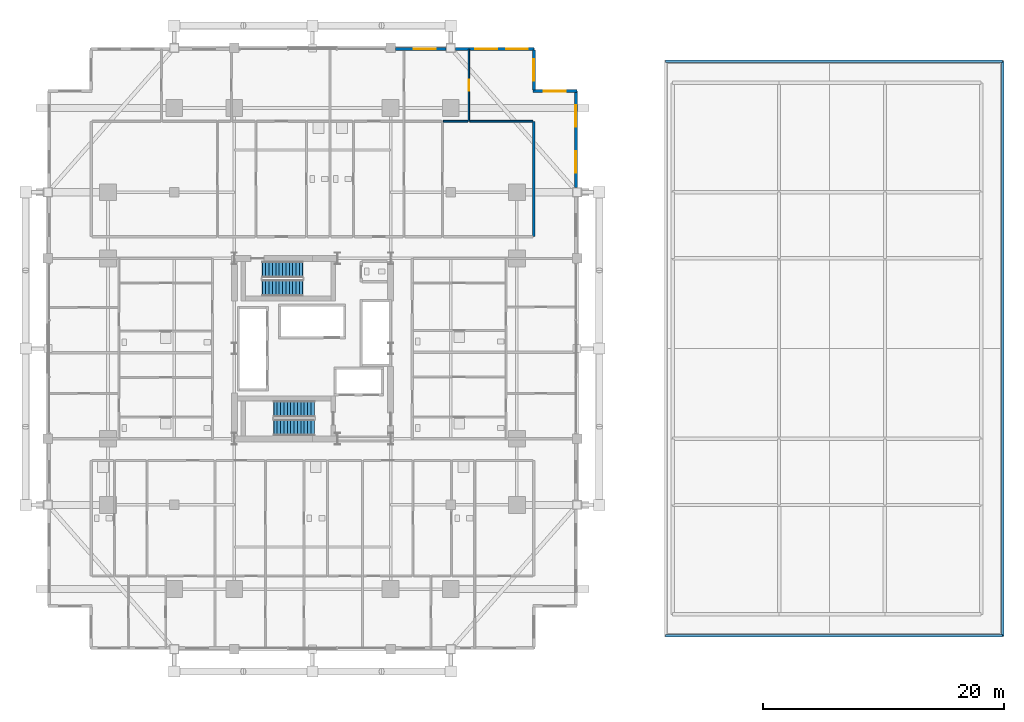
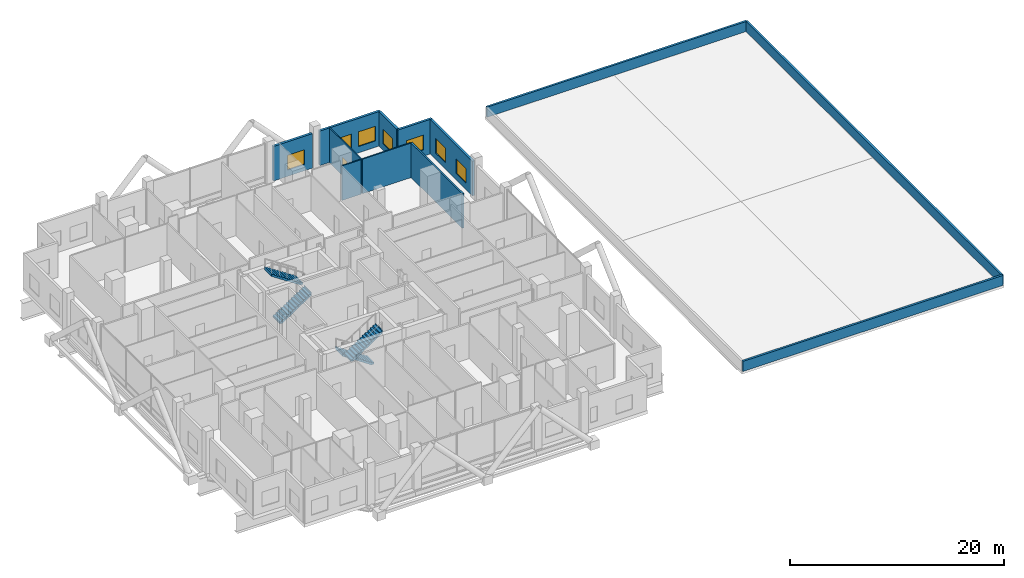
# One storey, part 28 of 33: 12 walls, 7 windows, 4 stair flights, 1 door, 8 openings, 2 elements without a shape of their own.
"""IFC4 building model written with IfcOpenShell, lengths in metres."""

from ifc_helpers import new_model, si_unit, direction, frame, frame_2d, origin, place, context, subcontext, project, spatial, polyline, rectangle, outline, extrude, material, layer, layer_set, type_object, element, fill, aggregate, save


model = new_model("IFC4")

# Units and contexts
model_context = context("Model", 3, precision=1e-05, world=origin(), true_north=direction((0.0, 1.0)))
body_context = subcontext(model_context, "Body", "Model", "MODEL_VIEW")
ifc_project = project(units=[si_unit("LENGTHUNIT", "METRE"), si_unit("AREAUNIT", "SQUARE_METRE"), si_unit("VOLUMEUNIT", "CUBIC_METRE"), si_unit("PLANEANGLEUNIT", "RADIAN"), si_unit("MASSUNIT", "GRAM", prefix="KILO")], contexts=[model_context])

# Site, building, storey
site_placement = place(None, origin())
site = spatial("IfcSite", under=ifc_project, at=site_placement, CompositionType="ELEMENT")
building_placement = place(site_placement, origin())
building = spatial("IfcBuilding", under=site, at=building_placement, Name="Barlavira Tower and Art Museum", CompositionType="ELEMENT")
storey_placement = place(building_placement, frame((0.0, 0.0, 27.60009765625)))
storey = spatial("IfcBuildingStorey", under=building, at=storey_placement, Name="L05", CompositionType="ELEMENT", Elevation=27.60009765625)

# Wall, opening, door
ifc_material_1 = material(Name="Gypsum acoustic stud partition", Category="gypsum")
ifc_layer_1 = layer(ifc_material_1, 0.1201171875, Name="Gypsum acoustic stud partition")
ifc_layer_set_1 = layer_set([ifc_layer_1], Name="Gypsum acoustic stud partition")
wall_type_1 = type_object("IfcWallType", Name="Apartment Internal Acoustic Partition 120", PredefinedType="PARTITIONING", material=ifc_layer_set_1)
wall_1_placement = place(storey_placement, frame((13.0, 18.89990234375, 0.0), z_axis=(0.0, 0.0, 1.0), x_axis=(0.0, 1.0, 0.0)))
wall_1 = element("IfcWall", 1, at=wall_1_placement, inside=storey, type_object=wall_type_1, Name="L05 Partition Wall 28", PredefinedType="PARTITIONING", context=body_context, shape_type="SweptSolid", body=[
    extrude(rectangle(XDim=6.0, YDim=0.1201171875, at=frame_2d((3.0, 0.0))), origin(), (0.0, 0.0, 1.0), 3.935791015625),
])
opening_1_placement = place(wall_1_placement, frame((2.550048828125, 0.0, 0.0)))
opening_1 = element("IfcOpeningElement", 2, at=opening_1_placement, cuts=wall_1, Name="Opening D-01", PredefinedType="OPENING", context=body_context, shape_type="SweptSolid", body=[
    extrude(rectangle(XDim=0.89990234375, YDim=2.10009765625, at=frame_2d((0.449951171875, 1.050048828125))), frame((0.0, 0.070068359375, 0.0), z_axis=(0.0, -1.0, 0.0), x_axis=(1.0, 0.0, 0.0)), (0.0, 0.0, 1.0), 0.14013671875),
])
ifc_material_2 = material(Name="Engineered coastal hardwood", Category="wood")
door_type = type_object("IfcDoorType", Name="Internal Bedroom Timber Flush Door 900x2100", OperationType="NOTDEFINED", PredefinedType="DOOR", material=ifc_material_2)
door_placement = place(opening_1_placement, origin())
door = element("IfcDoor", 3, at=door_placement, inside=storey, type_object=door_type, Name="Apartment N2 Bedroom 2 Door", OperationType="SINGLE_SWING_RIGHT", OverallHeight=2.10009765625, OverallWidth=0.89990234375, PredefinedType="DOOR", context=body_context, shape_type="SweptSolid", body=[
    extrude(rectangle(XDim=0.89990234375, YDim=2.10009765625, at=frame_2d((0.449951171875, 1.050048828125))), frame((0.0, 0.02490234375, 0.0), z_axis=(0.0, -1.0, 0.0), x_axis=(1.0, 0.0, 0.0)), (0.0, 0.0, 1.0), 0.050048828125),
])
fill(opening_1, door)

# Walls
ifc_layer_2 = layer(ifc_material_1, 0.179931640625, Name="Gypsum acoustic stud partition")
ifc_layer_set_2 = layer_set([ifc_layer_2], Name="Gypsum acoustic stud partition")
wall_type_2 = type_object("IfcWallType", Name="Inter-Tenancy Party Partition Wall 180", PredefinedType="PARTITIONING", material=ifc_layer_set_2)
wall_2_placement = place(storey_placement, frame((18.39990234375, 9.300048828125, 0.0), z_axis=(0.0, 0.0, 1.0), x_axis=(0.0, 1.0, 0.0)))
element("IfcWall", 4, at=wall_2_placement, inside=storey, type_object=wall_type_2, Name="L05 Partition Wall 32", PredefinedType="PARTITIONING", context=body_context, shape_type="SweptSolid", body=[
    extrude(rectangle(XDim=9.599853515625, YDim=0.179931640625, at=frame_2d((4.7998046875, 0.0))), origin(), (0.0, 0.0, 1.0), 3.935791015625),
])
ifc_layer_3 = layer(ifc_material_1, 0.139892578125, Name="Gypsum acoustic stud partition")
ifc_layer_set_3 = layer_set([ifc_layer_3], Name="Gypsum acoustic stud partition")
wall_type_3 = type_object("IfcWallType", Name="Moisture-Resistant Bathroom Partition 140", PredefinedType="PARTITIONING", material=ifc_layer_set_3)
wall_3_placement = place(storey_placement, frame((10.8798828125, 18.89990234375, 0.0), z_axis=(0.0, 0.0, 1.0), x_axis=(1.0, 0.0, 0.0)))
element("IfcWall", 5, at=wall_3_placement, inside=storey, type_object=wall_type_3, Name="L05 Partition Wall 101", PredefinedType="PARTITIONING", context=body_context, shape_type="SweptSolid", body=[
    extrude(rectangle(XDim=2.0400390625, YDim=0.139892578125, at=frame_2d((1.02001953125, 0.0))), origin(), (0.0, 0.0, 1.0), 3.935791015625),
])
wall_4_placement = place(storey_placement, frame((13.080078125, 18.89990234375, 0.0), z_axis=(0.0, 0.0, 1.0), x_axis=(1.0, 0.0, 0.0)))
element("IfcWall", 6, at=wall_4_placement, inside=storey, type_object=wall_type_3, Name="L05 Partition Wall 102", PredefinedType="PARTITIONING", context=body_context, shape_type="SweptSolid", body=[
    extrude(rectangle(XDim=5.239990234375, YDim=0.139892578125, at=frame_2d((2.6201171875, 0.0))), origin(), (0.0, 0.0, 1.0), 3.935791015625),
])

# Wall, openings, windows
ifc_material_3 = material(Name="Precast concrete C40", Category="concrete")
ifc_layer_4 = layer(ifc_material_3, 0.25, Name="Precast concrete C40")
ifc_layer_set_4 = layer_set([ifc_layer_4], Name="Precast concrete C40")
wall_type_4 = type_object("IfcWallType", Name="Notched Corner Spandrel Wall 250 Precast Concrete C40", PredefinedType="SOLIDWALL", material=ifc_layer_set_4)
wall_5_placement = place(storey_placement, frame((18.425048828125, 24.89990234375, 0.0), z_axis=(0.0, 0.0, 1.0), x_axis=(-1.0, 0.0, 0.0)))
wall_5 = element("IfcWall", 7, at=wall_5_placement, inside=storey, type_object=wall_type_4, Name="L05 Coastal Facade Pier Wall CW1-L05-N-1", PredefinedType="SOLIDWALL", context=body_context, shape_type="SweptSolid", body=[
    extrude(rectangle(XDim=6.530029296875, YDim=0.25, at=frame_2d((3.26513671875, 0.0))), origin(), (0.0, 0.0, 1.0), 3.935791015625),
])
opening_2_placement = place(wall_5_placement, frame((0.533935546875, 0.0, 0.719970703125)))
opening_2 = element("IfcOpeningElement", 8, at=opening_2_placement, cuts=wall_5, Name="Opening WN-01", PredefinedType="OPENING", context=body_context, shape_type="SweptSolid", body=[
    extrude(rectangle(XDim=1.800048828125, YDim=1.679931640625, at=frame_2d((0.89990234375, 0.83984375))), frame((0.0, 0.135009765625, 0.0), z_axis=(0.0, -1.0, 0.0), x_axis=(1.0, 0.0, 0.0)), (0.0, 0.0, 1.0), 0.27001953125),
])
opening_3_placement = place(wall_5_placement, frame((3.0810546875, 0.0, 0.719970703125)))
opening_3 = element("IfcOpeningElement", 9, at=opening_3_placement, cuts=wall_5, Name="Opening WN-01", PredefinedType="OPENING", context=body_context, shape_type="SweptSolid", body=[
    extrude(rectangle(XDim=1.800048828125, YDim=1.679931640625, at=frame_2d((0.89990234375, 0.83984375))), frame((0.0, 0.135009765625, 0.0), z_axis=(0.0, -1.0, 0.0), x_axis=(1.0, 0.0, 0.0)), (0.0, 0.0, 1.0), 0.27001953125),
])
ifc_material_4 = material(Name="Low-iron coastal laminated glass", Category="glass")
window_type = type_object("IfcWindowType", Name="Recessed Notch Corner Punch Window 1800x1680", PartitioningType="SINGLE_PANEL", PredefinedType="WINDOW", material=ifc_material_4)
window_1_placement = place(opening_2_placement, origin())
window_1 = element("IfcWindow", 10, at=window_1_placement, inside=storey, type_object=window_type, Name="L05 Punched Facade Window EWP-CW1-L05-N-1-1", OverallHeight=1.679931640625, OverallWidth=1.800048828125, PartitioningType="SINGLE_PANEL", PredefinedType="WINDOW", context=body_context, shape_type="SweptSolid", body=[
    extrude(rectangle(XDim=1.800048828125, YDim=1.679931640625, at=frame_2d((0.89990234375, 0.83984375))), frame((0.0, 0.030029296875, 0.0), z_axis=(0.0, -1.0, 0.0), x_axis=(1.0, 0.0, 0.0)), (0.0, 0.0, 1.0), 0.06005859375),
])
fill(opening_2, window_1)
window_2_placement = place(opening_3_placement, origin())
window_2 = element("IfcWindow", 11, at=window_2_placement, inside=storey, type_object=window_type, Name="L05 Punched Facade Window EWP-CW1-L05-N-1-2", OverallHeight=1.679931640625, OverallWidth=1.800048828125, PartitioningType="SINGLE_PANEL", PredefinedType="WINDOW", context=body_context, shape_type="SweptSolid", body=[
    extrude(rectangle(XDim=1.800048828125, YDim=1.679931640625, at=frame_2d((0.89990234375, 0.83984375))), frame((0.0, 0.030029296875, 0.0), z_axis=(0.0, -1.0, 0.0), x_axis=(1.0, 0.0, 0.0)), (0.0, 0.0, 1.0), 0.06005859375),
])
fill(opening_3, window_2)

# Wall, opening, window
wall_6_placement = place(storey_placement, frame((11.10498046875, 24.89990234375, 0.0), z_axis=(0.0, 0.0, 1.0), x_axis=(-1.0, 0.0, 0.0)))
wall_6 = element("IfcWall", 12, at=wall_6_placement, inside=storey, type_object=wall_type_4, Name="L05 Coastal Facade Pier Wall CW1-L05-N-2", PredefinedType="SOLIDWALL", context=body_context, shape_type="SweptSolid", body=[
    extrude(rectangle(XDim=4.2099609375, YDim=0.25, at=frame_2d((2.10498046875, 0.0))), origin(), (0.0, 0.0, 1.0), 3.935791015625),
])
opening_4_placement = place(wall_6_placement, frame((0.864990234375, 0.0, 0.719970703125)))
opening_4 = element("IfcOpeningElement", 13, at=opening_4_placement, cuts=wall_6, Name="Opening WN-01", PredefinedType="OPENING", context=body_context, shape_type="SweptSolid", body=[
    extrude(rectangle(XDim=1.800048828125, YDim=1.679931640625, at=frame_2d((0.89990234375, 0.83984375))), frame((0.0, 0.135009765625, 0.0), z_axis=(0.0, -1.0, 0.0), x_axis=(1.0, 0.0, 0.0)), (0.0, 0.0, 1.0), 0.27001953125),
])
window_3_placement = place(opening_4_placement, origin())
window_3 = element("IfcWindow", 14, at=window_3_placement, inside=storey, type_object=window_type, Name="L05 Punched Facade Window EWP-CW1-L05-N-2-1", OverallHeight=1.679931640625, OverallWidth=1.800048828125, PartitioningType="SINGLE_PANEL", PredefinedType="WINDOW", context=body_context, shape_type="SweptSolid", body=[
    extrude(rectangle(XDim=1.800048828125, YDim=1.679931640625, at=frame_2d((0.89990234375, 0.83984375))), frame((0.0, 0.030029296875, 0.0), z_axis=(0.0, -1.0, 0.0), x_axis=(1.0, 0.0, 0.0)), (0.0, 0.0, 1.0), 0.06005859375),
])
fill(opening_4, window_3)

# Wall, openings, windows
wall_7_placement = place(storey_placement, frame((21.89990234375, 13.39501953125, 0.0), z_axis=(0.0, 0.0, 1.0), x_axis=(0.0, 1.0, 0.0)))
wall_7 = element("IfcWall", 15, at=wall_7_placement, inside=storey, type_object=wall_type_4, Name="L05 Coastal Facade Pier Wall CW1-L05-E-5", PredefinedType="SOLIDWALL", context=body_context, shape_type="SweptSolid", body=[
    extrude(rectangle(XDim=8.030029296875, YDim=0.25, at=frame_2d((4.01513671875, 0.0))), origin(), (0.0, 0.0, 1.0), 3.935791015625),
])
opening_5_placement = place(wall_7_placement, frame((1.220947265625, 0.0, 0.719970703125)))
opening_5 = element("IfcOpeningElement", 16, at=opening_5_placement, cuts=wall_7, Name="Opening WN-01", PredefinedType="OPENING", context=body_context, shape_type="SweptSolid", body=[
    extrude(rectangle(XDim=1.800048828125, YDim=1.679931640625, at=frame_2d((0.89990234375, 0.83984375))), frame((0.0, 0.135009765625, 0.0), z_axis=(0.0, -1.0, 0.0), x_axis=(1.0, 0.0, 0.0)), (0.0, 0.0, 1.0), 0.27001953125),
])
opening_6_placement = place(wall_7_placement, frame((5.053955078125, 0.0, 0.719970703125)))
opening_6 = element("IfcOpeningElement", 17, at=opening_6_placement, cuts=wall_7, Name="Opening WN-01", PredefinedType="OPENING", context=body_context, shape_type="SweptSolid", body=[
    extrude(rectangle(XDim=1.800048828125, YDim=1.679931640625, at=frame_2d((0.89990234375, 0.83984375))), frame((0.0, 0.135009765625, 0.0), z_axis=(0.0, -1.0, 0.0), x_axis=(1.0, 0.0, 0.0)), (0.0, 0.0, 1.0), 0.27001953125),
])
window_4_placement = place(opening_5_placement, origin())
window_4 = element("IfcWindow", 18, at=window_4_placement, inside=storey, type_object=window_type, Name="L05 Punched Facade Window EWP-CW1-L05-E-5-1", OverallHeight=1.679931640625, OverallWidth=1.800048828125, PartitioningType="SINGLE_PANEL", PredefinedType="WINDOW", context=body_context, shape_type="SweptSolid", body=[
    extrude(rectangle(XDim=1.800048828125, YDim=1.679931640625, at=frame_2d((0.89990234375, 0.83984375))), frame((0.0, 0.030029296875, 0.0), z_axis=(0.0, -1.0, 0.0), x_axis=(1.0, 0.0, 0.0)), (0.0, 0.0, 1.0), 0.06005859375),
])
fill(opening_5, window_4)
window_5_placement = place(opening_6_placement, origin())
window_5 = element("IfcWindow", 19, at=window_5_placement, inside=storey, type_object=window_type, Name="L05 Punched Facade Window EWP-CW1-L05-E-5-2", OverallHeight=1.679931640625, OverallWidth=1.800048828125, PartitioningType="SINGLE_PANEL", PredefinedType="WINDOW", context=body_context, shape_type="SweptSolid", body=[
    extrude(rectangle(XDim=1.800048828125, YDim=1.679931640625, at=frame_2d((0.89990234375, 0.83984375))), frame((0.0, 0.030029296875, 0.0), z_axis=(0.0, -1.0, 0.0), x_axis=(1.0, 0.0, 0.0)), (0.0, 0.0, 1.0), 0.06005859375),
])
fill(opening_6, window_5)

# Wall, opening, window
wall_8_placement = place(storey_placement, frame((21.97998046875, 21.39990234375, 0.0), z_axis=(0.0, 0.0, 1.0), x_axis=(-1.0, 0.0, 0.0)))
wall_8 = element("IfcWall", 20, at=wall_8_placement, inside=storey, type_object=wall_type_4, Name="L05 Notch Corner Wall NE1", PredefinedType="SOLIDWALL", context=body_context, shape_type="SweptSolid", body=[
    extrude(rectangle(XDim=3.659912109375, YDim=0.25, at=frame_2d((1.830078125, 0.0))), origin(), (0.0, 0.0, 1.0), 3.935791015625),
])
opening_7_placement = place(wall_8_placement, frame((0.929931640625, 0.0, 0.719970703125)))
opening_7 = element("IfcOpeningElement", 21, at=opening_7_placement, cuts=wall_8, Name="Opening WN-01", PredefinedType="OPENING", context=body_context, shape_type="SweptSolid", body=[
    extrude(rectangle(XDim=1.800048828125, YDim=1.679931640625, at=frame_2d((0.89990234375, 0.83984375))), frame((0.0, 0.135009765625, 0.0), z_axis=(0.0, -1.0, 0.0), x_axis=(1.0, 0.0, 0.0)), (0.0, 0.0, 1.0), 0.27001953125),
])
window_6_placement = place(opening_7_placement, origin())
window_6 = element("IfcWindow", 22, at=window_6_placement, inside=storey, type_object=window_type, Name="L05 Punched Facade Window EW-NTC-L05-NE1-1", OverallHeight=1.679931640625, OverallWidth=1.800048828125, PartitioningType="SINGLE_PANEL", PredefinedType="WINDOW", context=body_context, shape_type="SweptSolid", body=[
    extrude(rectangle(XDim=1.800048828125, YDim=1.679931640625, at=frame_2d((0.89990234375, 0.83984375))), frame((0.0, 0.030029296875, 0.0), z_axis=(0.0, -1.0, 0.0), x_axis=(1.0, 0.0, 0.0)), (0.0, 0.0, 1.0), 0.06005859375),
])
fill(opening_7, window_6)

wall_9_placement = place(storey_placement, frame((18.39990234375, 21.47998046875, 0.0), z_axis=(0.0, 0.0, 1.0), x_axis=(0.0, 1.0, 0.0)))
wall_9 = element("IfcWall", 23, at=wall_9_placement, inside=storey, type_object=wall_type_4, Name="L05 Notch Corner Wall NE2", PredefinedType="SOLIDWALL", context=body_context, shape_type="SweptSolid", body=[
    extrude(rectangle(XDim=3.340087890625, YDim=0.25, at=frame_2d((1.669921875, 0.0))), origin(), (0.0, 0.0, 1.0), 3.935791015625),
])
opening_8_placement = place(wall_9_placement, frame((0.77001953125, 0.0, 0.719970703125)))
opening_8 = element("IfcOpeningElement", 24, at=opening_8_placement, cuts=wall_9, Name="Opening WN-01", PredefinedType="OPENING", context=body_context, shape_type="SweptSolid", body=[
    extrude(rectangle(XDim=1.800048828125, YDim=1.679931640625, at=frame_2d((0.89990234375, 0.83984375))), frame((0.0, 0.135009765625, 0.0), z_axis=(0.0, -1.0, 0.0), x_axis=(1.0, 0.0, 0.0)), (0.0, 0.0, 1.0), 0.27001953125),
])
window_7_placement = place(opening_8_placement, origin())
window_7 = element("IfcWindow", 25, at=window_7_placement, inside=storey, type_object=window_type, Name="L05 Punched Facade Window EW-NTC-L05-NE2-1", OverallHeight=1.679931640625, OverallWidth=1.800048828125, PartitioningType="SINGLE_PANEL", PredefinedType="WINDOW", context=body_context, shape_type="SweptSolid", body=[
    extrude(rectangle(XDim=1.800048828125, YDim=1.679931640625, at=frame_2d((0.89990234375, 0.83984375))), frame((0.0, 0.030029296875, 0.0), z_axis=(0.0, -1.0, 0.0), x_axis=(1.0, 0.0, 0.0)), (0.0, 0.0, 1.0), 0.06005859375),
])
fill(opening_8, window_7)

# Walls
ifc_layer_5 = layer(ifc_material_3, 0.219970703125, Name="Precast concrete C40")
ifc_layer_set_5 = layer_set([ifc_layer_5], Name="Precast concrete C40")
wall_type_5 = type_object("IfcWallType", Name="Terrace and Roof Parapet Wall 220 Concrete C40", PredefinedType="PARAPET", material=ifc_layer_set_5)
wall_10_placement = place(storey_placement, frame((29.360107421875, -23.889892578125, 0.0), z_axis=(0.0, 0.0, 1.0), x_axis=(1.0, 0.0, 0.0)))
element("IfcWall", 26, at=wall_10_placement, inside=storey, type_object=wall_type_5, Name="Museum Roof Parapet Wall S", PredefinedType="PARAPET", context=body_context, shape_type="SweptSolid", body=[
    extrude(rectangle(XDim=28.02978515625, YDim=0.219970703125, at=frame_2d((14.014892578125, 0.0))), origin(), (0.0, 0.0, 1.0), 1.14990234375),
])
wall_11_placement = place(storey_placement, frame((57.389892578125, -23.889892578125, 0.0), z_axis=(0.0, 0.0, 1.0), x_axis=(0.0, 1.0, 0.0)))
element("IfcWall", 27, at=wall_11_placement, inside=storey, type_object=wall_type_5, Name="Museum Roof Parapet Wall E", PredefinedType="PARAPET", context=body_context, shape_type="SweptSolid", body=[
    extrude(rectangle(XDim=47.77978515625, YDim=0.219970703125, at=frame_2d((23.889892578125, 0.0))), origin(), (0.0, 0.0, 1.0), 1.14990234375),
])
wall_12_placement = place(storey_placement, frame((57.389892578125, 23.889892578125, 0.0), z_axis=(0.0, 0.0, 1.0), x_axis=(-1.0, 0.0, 0.0)))
element("IfcWall", 28, at=wall_12_placement, inside=storey, type_object=wall_type_5, Name="Museum Roof Parapet Wall N", PredefinedType="PARAPET", context=body_context, shape_type="SweptSolid", body=[
    extrude(rectangle(XDim=28.02978515625, YDim=0.219970703125, at=frame_2d((14.014892578125, 0.0))), origin(), (0.0, 0.0, 1.0), 1.14990234375),
])

# Stair, stair flights
ifc_material_5 = material(Name="Concrete C45", Category="concrete")
stair_type_1 = type_object("IfcStairType", Name="Tower North Dog-Leg Exit Stair Assembly Concrete C45", PredefinedType="TWO_QUARTER_TURN_STAIR", material=ifc_material_5)
stair_1_placement = place(storey_placement, origin())
stair_1 = element("IfcStair", 29, at=stair_1_placement, inside=storey, type_object=stair_type_1, Name="L05 Tower North Exit Stair ST-T2", PredefinedType="TWO_QUARTER_TURN_STAIR")
ifc_material_6 = material(Name="Precast concrete C45", Category="concrete")
stair_flight_type_1 = type_object("IfcStairFlightType", Name="Tower North Dog-Leg Exit Stair Precast Flight 1350 Concrete C45", PredefinedType="STRAIGHT", material=ifc_material_6)
stair_flight_1_placement = place(storey_placement, frame((-4.169921875, 5.02490234375, 0.0), z_axis=(0.0, 0.0, 1.0), x_axis=(1.0, 0.0, 0.0)))
stair_flight_1 = element("IfcStairFlight", 30, at=stair_flight_1_placement, type_object=stair_flight_type_1, Name="ST-T2 flight 1", NumberOfRisers=13, NumberOfTreads=12, PredefinedType="STRAIGHT", RiserHeight=0.184615385, TreadLength=0.28, context=body_context, shape_type="SweptSolid", body=[
    extrude(outline(polyline([(-0.02490234375, 0.0), (0.0, 0.0), (0.0, 0.1845703125), (0.280029296875, 0.1845703125), (0.280029296875, 0.369140625), (0.56005859375, 0.369140625), (0.56005859375, 0.553955078125), (0.840087890625, 0.553955078125), (0.840087890625, 0.738525390625), (1.1201171875, 0.738525390625), (1.1201171875, 0.923095703125), (1.39990234375, 0.923095703125), (1.39990234375, 1.107666015625), (1.679931640625, 1.107666015625), (1.679931640625, 1.292236328125), (1.9599609375, 1.292236328125), (1.9599609375, 1.476806640625), (2.239990234375, 1.476806640625), (2.239990234375, 1.66162109375), (2.52001953125, 1.66162109375), (2.52001953125, 1.84619140625), (2.800048828125, 1.84619140625), (2.800048828125, 2.03076171875), (3.080078125, 2.03076171875), (3.080078125, 2.21533203125), (3.360107421875, 2.21533203125), (3.360107421875, 2.39990234375), (3.385009765625, 2.39990234375), (3.385009765625, 2.035888671875), (3.360107421875, 2.035888671875), (0.272216796875, -0.02490234375), (-0.02490234375, -0.02490234375), (-0.02490234375, 0.0)])), frame((0.0, 0.675048828125, 0.0), z_axis=(0.0, -1.0, 0.0), x_axis=(1.0, 0.0, 0.0)), (0.0, 0.0, 1.0), 1.35009765625),
])
stair_flight_2_placement = place(storey_placement, frame((-0.81005859375, 6.574951171875, 2.39990234375), z_axis=(0.0, 0.0, 1.0), x_axis=(-1.0, 0.0, 0.0)))
stair_flight_2 = element("IfcStairFlight", 31, at=stair_flight_2_placement, type_object=stair_flight_type_1, Name="ST-T2 flight 2", NumberOfRisers=13, NumberOfTreads=12, PredefinedType="STRAIGHT", RiserHeight=0.184615385, TreadLength=0.28, context=body_context, shape_type="SweptSolid", body=[
    extrude(outline(polyline([(-0.02490234375, 0.0), (0.0, 0.0), (0.0, 0.1845703125), (0.280029296875, 0.1845703125), (0.280029296875, 0.369140625), (0.56005859375, 0.369140625), (0.56005859375, 0.553955078125), (0.840087890625, 0.553955078125), (0.840087890625, 0.738525390625), (1.1201171875, 0.738525390625), (1.1201171875, 0.923095703125), (1.39990234375, 0.923095703125), (1.39990234375, 1.107666015625), (1.679931640625, 1.107666015625), (1.679931640625, 1.292236328125), (1.9599609375, 1.292236328125), (1.9599609375, 1.476806640625), (2.239990234375, 1.476806640625), (2.239990234375, 1.66162109375), (2.52001953125, 1.66162109375), (2.52001953125, 1.84619140625), (2.800048828125, 1.84619140625), (2.800048828125, 2.03076171875), (3.080078125, 2.03076171875), (3.080078125, 2.21533203125), (3.360107421875, 2.21533203125), (3.360107421875, 2.39990234375), (3.385009765625, 2.39990234375), (3.385009765625, 2.035888671875), (3.360107421875, 2.035888671875), (0.272216796875, -0.02490234375), (-0.02490234375, -0.02490234375), (-0.02490234375, 0.0)])), frame((0.0, 0.675048828125, 0.0), z_axis=(0.0, -1.0, 0.0), x_axis=(1.0, 0.0, 0.0)), (0.0, 0.0, 1.0), 1.35009765625),
])
aggregate(stair_1, [stair_flight_1, stair_flight_2])

stair_type_2 = type_object("IfcStairType", Name="Tower South Dog-Leg Exit Stair Assembly Concrete C45", PredefinedType="TWO_QUARTER_TURN_STAIR", material=ifc_material_5)
stair_2_placement = place(storey_placement, origin())
stair_2 = element("IfcStair", 32, at=stair_2_placement, inside=storey, type_object=stair_type_2, Name="L05 Tower South Exit Stair ST-T1", PredefinedType="TWO_QUARTER_TURN_STAIR")
stair_flight_type_2 = type_object("IfcStairFlightType", Name="Tower South Dog-Leg Exit Stair Precast Flight 1350 Concrete C45", PredefinedType="STRAIGHT", material=ifc_material_6)
stair_flight_3_placement = place(storey_placement, frame((0.14990234375, -5.02490234375, 0.0), z_axis=(0.0, 0.0, 1.0), x_axis=(-1.0, 0.0, 0.0)))
stair_flight_3 = element("IfcStairFlight", 33, at=stair_flight_3_placement, type_object=stair_flight_type_2, Name="ST-T1 flight 1", NumberOfRisers=13, NumberOfTreads=12, PredefinedType="STRAIGHT", RiserHeight=0.184615385, TreadLength=0.28, context=body_context, shape_type="SweptSolid", body=[
    extrude(outline(polyline([(-0.02490234375, 0.0), (0.0, 0.0), (0.0, 0.1845703125), (0.280029296875, 0.1845703125), (0.280029296875, 0.369140625), (0.56005859375, 0.369140625), (0.56005859375, 0.553955078125), (0.840087890625, 0.553955078125), (0.840087890625, 0.738525390625), (1.1201171875, 0.738525390625), (1.1201171875, 0.923095703125), (1.39990234375, 0.923095703125), (1.39990234375, 1.107666015625), (1.679931640625, 1.107666015625), (1.679931640625, 1.292236328125), (1.9599609375, 1.292236328125), (1.9599609375, 1.476806640625), (2.239990234375, 1.476806640625), (2.239990234375, 1.66162109375), (2.52001953125, 1.66162109375), (2.52001953125, 1.84619140625), (2.800048828125, 1.84619140625), (2.800048828125, 2.03076171875), (3.080078125, 2.03076171875), (3.080078125, 2.21533203125), (3.360107421875, 2.21533203125), (3.360107421875, 2.39990234375), (3.385009765625, 2.39990234375), (3.385009765625, 2.035888671875), (3.360107421875, 2.035888671875), (0.272216796875, -0.02490234375), (-0.02490234375, -0.02490234375), (-0.02490234375, 0.0)])), frame((0.0, 0.675048828125, 0.0), z_axis=(0.0, -1.0, 0.0), x_axis=(1.0, 0.0, 0.0)), (0.0, 0.0, 1.0), 1.35009765625),
])
stair_flight_4_placement = place(storey_placement, frame((-3.2099609375, -6.574951171875, 2.39990234375), z_axis=(0.0, 0.0, 1.0), x_axis=(1.0, 0.0, 0.0)))
stair_flight_4 = element("IfcStairFlight", 34, at=stair_flight_4_placement, type_object=stair_flight_type_2, Name="ST-T1 flight 2", NumberOfRisers=13, NumberOfTreads=12, PredefinedType="STRAIGHT", RiserHeight=0.184615385, TreadLength=0.28, context=body_context, shape_type="SweptSolid", body=[
    extrude(outline(polyline([(-0.02490234375, 0.0), (0.0, 0.0), (0.0, 0.1845703125), (0.280029296875, 0.1845703125), (0.280029296875, 0.369140625), (0.56005859375, 0.369140625), (0.56005859375, 0.553955078125), (0.840087890625, 0.553955078125), (0.840087890625, 0.738525390625), (1.1201171875, 0.738525390625), (1.1201171875, 0.923095703125), (1.39990234375, 0.923095703125), (1.39990234375, 1.107666015625), (1.679931640625, 1.107666015625), (1.679931640625, 1.292236328125), (1.9599609375, 1.292236328125), (1.9599609375, 1.476806640625), (2.239990234375, 1.476806640625), (2.239990234375, 1.66162109375), (2.52001953125, 1.66162109375), (2.52001953125, 1.84619140625), (2.800048828125, 1.84619140625), (2.800048828125, 2.03076171875), (3.080078125, 2.03076171875), (3.080078125, 2.21533203125), (3.360107421875, 2.21533203125), (3.360107421875, 2.39990234375), (3.385009765625, 2.39990234375), (3.385009765625, 2.035888671875), (3.360107421875, 2.035888671875), (0.272216796875, -0.02490234375), (-0.02490234375, -0.02490234375), (-0.02490234375, 0.0)])), frame((0.0, 0.675048828125, 0.0), z_axis=(0.0, -1.0, 0.0), x_axis=(1.0, 0.0, 0.0)), (0.0, 0.0, 1.0), 1.35009765625),
])
aggregate(stair_2, [stair_flight_3, stair_flight_4])

save(model, "model.ifc")
